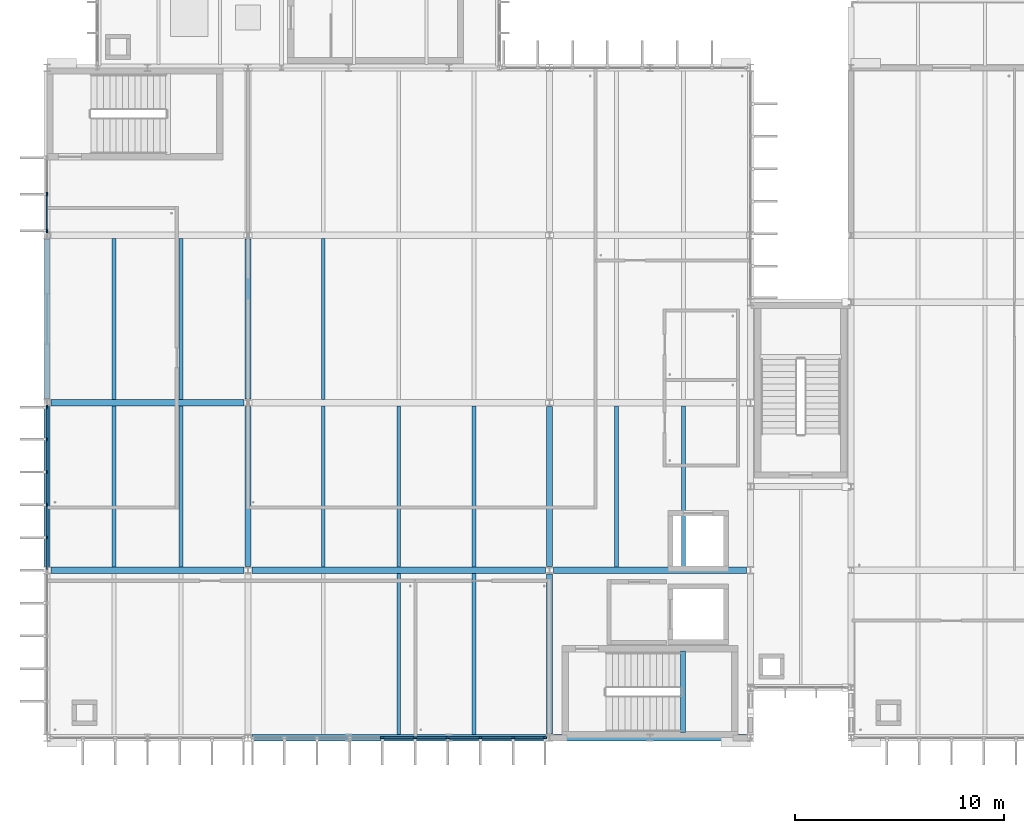
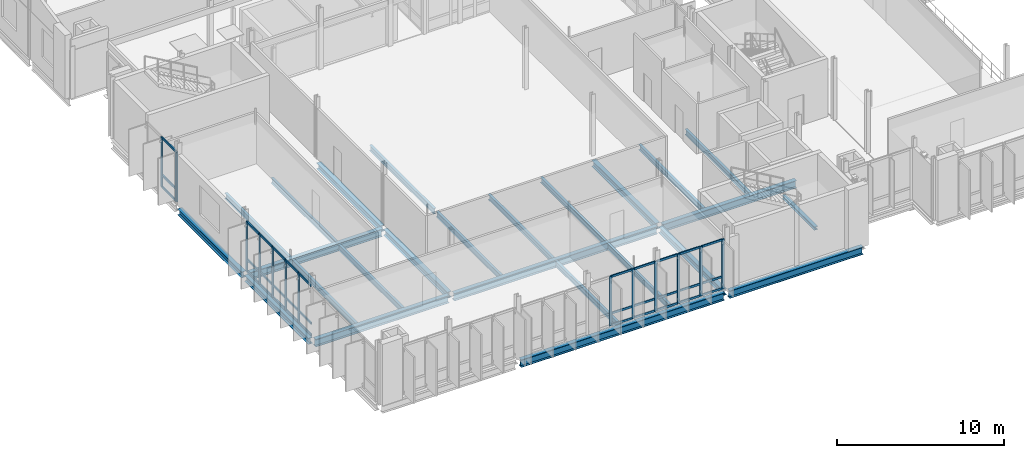
# One storey, part 18 of 93: 46 members, 25 beams, 3 elements without a shape of their own.
"""IFC4 building model written with IfcOpenShell, lengths in metres."""

from ifc_helpers import new_model, si_unit, direction, frame, origin, origin_2d, place, context, subcontext, project, spatial, rectangle, i_section, extrude, material, material_profile, profile_set, type_object, element, aggregate, save


model = new_model("IFC4")

# Units and contexts
model_context = context("Model", 3, precision=1e-05, world=origin(), true_north=direction((0.0, 1.0)))
body_context = subcontext(model_context, "Body", "Model", "MODEL_VIEW")
ifc_project = project(units=[si_unit("LENGTHUNIT", "METRE"), si_unit("AREAUNIT", "SQUARE_METRE"), si_unit("VOLUMEUNIT", "CUBIC_METRE"), si_unit("PLANEANGLEUNIT", "RADIAN"), si_unit("MASSUNIT", "GRAM", prefix="KILO")], contexts=[model_context])

# Site, building, storey
site_placement = place(None, origin())
site = spatial("IfcSite", under=ifc_project, at=site_placement, CompositionType="ELEMENT")
building_placement = place(site_placement, origin())
building = spatial("IfcBuilding", under=site, at=building_placement, Name="Dunescarp Central Library", CompositionType="ELEMENT")
storey_placement = place(building_placement, frame((0.0, 0.0, 14.10009765625)))
storey = spatial("IfcBuildingStorey", under=building, at=storey_placement, Name="L03", CompositionType="ELEMENT", Elevation=14.10009765625)

# Curtain wall, members
ifc_material_1 = material(Name="Marine-grade anodised aluminium 6063-T6", Category="aluminium")
curtain_wall_type = type_object("IfcCurtainWallType", Name="ARC-CW-STICK", PredefinedType="NOTDEFINED", material=ifc_material_1)
curtain_wall_1_placement = place(storey_placement, origin())
curtain_wall_1 = element("IfcCurtainWall", 1, at=curtain_wall_1_placement, inside=storey, type_object=curtain_wall_type, Name="L03 curtain wall CW-V1-019", PredefinedType="NOTDEFINED")
ifc_material_profile_1 = material_profile(ifc_material_1, rectangle(XDim=0.080078125, YDim=0.179931640625, at=origin_2d()), Name="AL 80x180")
ifc_profile_set_1 = profile_set([ifc_material_profile_1], Name="Marine-grade anodised aluminium 6063-T6")
member_type_1 = type_object("IfcMemberType", Name="ARC-CWM-180", PredefinedType="MULLION", material=ifc_profile_set_1)
member_1_placement = place(storey_placement, frame((23.784912109375, 4.800048828125, 0.0), z_axis=(0.0, 0.0, 1.0), x_axis=(0.0, -1.0, 0.0)))
member_1 = element("IfcMember", 2, at=member_1_placement, type_object=member_type_1, Name="CW-V1-019 mullion 1", PredefinedType="MULLION", context=body_context, shape_type="SweptSolid", body=[
    extrude(rectangle(XDim=0.080078125, YDim=0.179931640625, at=origin_2d()), origin(), (0.0, 0.0, 1.0), 3.625),
])
member_2_placement = place(storey_placement, frame((22.263916015625, 4.800048828125, 0.0), z_axis=(0.0, 0.0, 1.0), x_axis=(0.0, -1.0, 0.0)))
member_2 = element("IfcMember", 3, at=member_2_placement, type_object=member_type_1, Name="CW-V1-019 mullion 2", PredefinedType="MULLION", context=body_context, shape_type="SweptSolid", body=[
    extrude(rectangle(XDim=0.080078125, YDim=0.179931640625, at=origin_2d()), origin(), (0.0, 0.0, 1.0), 3.625),
])
member_3_placement = place(storey_placement, frame((20.702880859375, 4.800048828125, 0.0), z_axis=(0.0, 0.0, 1.0), x_axis=(0.0, -1.0, 0.0)))
member_3 = element("IfcMember", 4, at=member_3_placement, type_object=member_type_1, Name="CW-V1-019 mullion 3", PredefinedType="MULLION", context=body_context, shape_type="SweptSolid", body=[
    extrude(rectangle(XDim=0.080078125, YDim=0.179931640625, at=origin_2d()), origin(), (0.0, 0.0, 1.0), 3.625),
])
member_4_placement = place(storey_placement, frame((19.1416015625, 4.800048828125, 0.0), z_axis=(0.0, 0.0, 1.0), x_axis=(0.0, -1.0, 0.0)))
member_4 = element("IfcMember", 5, at=member_4_placement, type_object=member_type_1, Name="CW-V1-019 mullion 4", PredefinedType="MULLION", context=body_context, shape_type="SweptSolid", body=[
    extrude(rectangle(XDim=0.080078125, YDim=0.179931640625, at=origin_2d()), origin(), (0.0, 0.0, 1.0), 3.625),
])
member_5_placement = place(storey_placement, frame((17.58056640625, 4.800048828125, 0.0), z_axis=(0.0, 0.0, 1.0), x_axis=(0.0, -1.0, 0.0)))
member_5 = element("IfcMember", 6, at=member_5_placement, type_object=member_type_1, Name="CW-V1-019 mullion 5", PredefinedType="MULLION", context=body_context, shape_type="SweptSolid", body=[
    extrude(rectangle(XDim=0.080078125, YDim=0.179931640625, at=origin_2d()), origin(), (0.0, 0.0, 1.0), 3.625),
])
member_6_placement = place(storey_placement, frame((16.01953125, 4.800048828125, 0.0), z_axis=(0.0, 0.0, 1.0), x_axis=(0.0, -1.0, 0.0)))
member_6 = element("IfcMember", 7, at=member_6_placement, type_object=member_type_1, Name="CW-V1-019 mullion 6", PredefinedType="MULLION", context=body_context, shape_type="SweptSolid", body=[
    extrude(rectangle(XDim=0.080078125, YDim=0.179931640625, at=origin_2d()), origin(), (0.0, 0.0, 1.0), 3.625),
])

curtain_wall_2_placement = place(storey_placement, origin())
curtain_wall_2 = element("IfcCurtainWall", 8, at=curtain_wall_2_placement, inside=storey, type_object=curtain_wall_type, Name="L03 curtain wall CW-V1-021", PredefinedType="NOTDEFINED")
member_7_placement = place(storey_placement, frame((0.0, 14.364990234375, 0.0), z_axis=(0.0, 0.0, 1.0), x_axis=(-1.0, 0.0, 0.0)))
member_7 = element("IfcMember", 9, at=member_7_placement, type_object=member_type_1, Name="CW-V1-021 mullion 7", PredefinedType="MULLION", context=body_context, shape_type="SweptSolid", body=[
    extrude(rectangle(XDim=0.080078125, YDim=0.179931640625, at=origin_2d()), origin(), (0.0, 0.0, 1.0), 3.6748046875),
])
member_8_placement = place(storey_placement, frame((0.0, 15.929931640625, 0.0), z_axis=(0.0, 0.0, 1.0), x_axis=(-1.0, 0.0, 0.0)))
member_8 = element("IfcMember", 10, at=member_8_placement, type_object=member_type_1, Name="CW-V1-021 mullion 8", PredefinedType="MULLION", context=body_context, shape_type="SweptSolid", body=[
    extrude(rectangle(XDim=0.080078125, YDim=0.179931640625, at=origin_2d()), origin(), (0.0, 0.0, 1.0), 3.6748046875),
])
member_9_placement = place(storey_placement, frame((0.0, 17.4951171875, 0.0), z_axis=(0.0, 0.0, 1.0), x_axis=(-1.0, 0.0, 0.0)))
member_9 = element("IfcMember", 11, at=member_9_placement, type_object=member_type_1, Name="CW-V1-021 mullion 9", PredefinedType="MULLION", context=body_context, shape_type="SweptSolid", body=[
    extrude(rectangle(XDim=0.080078125, YDim=0.179931640625, at=origin_2d()), origin(), (0.0, 0.0, 1.0), 3.6748046875),
])
member_10_placement = place(storey_placement, frame((0.0, 19.06005859375, 0.0), z_axis=(0.0, 0.0, 1.0), x_axis=(-1.0, 0.0, 0.0)))
member_10 = element("IfcMember", 12, at=member_10_placement, type_object=member_type_1, Name="CW-V1-021 mullion 10", PredefinedType="MULLION", context=body_context, shape_type="SweptSolid", body=[
    extrude(rectangle(XDim=0.080078125, YDim=0.179931640625, at=origin_2d()), origin(), (0.0, 0.0, 1.0), 3.6748046875),
])
member_11_placement = place(storey_placement, frame((0.0, 20.5849609375, 0.0), z_axis=(0.0, 0.0, 1.0), x_axis=(-1.0, 0.0, 0.0)))
member_11 = element("IfcMember", 13, at=member_11_placement, type_object=member_type_1, Name="CW-V1-021 mullion 11", PredefinedType="MULLION", context=body_context, shape_type="SweptSolid", body=[
    extrude(rectangle(XDim=0.080078125, YDim=0.179931640625, at=origin_2d()), origin(), (0.0, 0.0, 1.0), 3.6748046875),
])

curtain_wall_3_placement = place(storey_placement, origin())
curtain_wall_3 = element("IfcCurtainWall", 14, at=curtain_wall_3_placement, inside=storey, type_object=curtain_wall_type, Name="L03 curtain wall CW-V1-022", PredefinedType="NOTDEFINED")
member_12_placement = place(storey_placement, frame((0.0, 29.014892578125, 0.0), z_axis=(0.0, 0.0, 1.0), x_axis=(-1.0, 0.0, 0.0)))
member_12 = element("IfcMember", 15, at=member_12_placement, type_object=member_type_1, Name="CW-V1-022 mullion 1", PredefinedType="MULLION", context=body_context, shape_type="SweptSolid", body=[
    extrude(rectangle(XDim=0.080078125, YDim=0.179931640625, at=origin_2d()), origin(), (0.0, 0.0, 1.0), 3.6748046875),
])
member_13_placement = place(storey_placement, frame((0.0, 30.762451171875, 0.0), z_axis=(0.0, 0.0, 1.0), x_axis=(-1.0, 0.0, 0.0)))
member_13 = element("IfcMember", 16, at=member_13_placement, type_object=member_type_1, Name="CW-V1-022 mullion 2", PredefinedType="MULLION", context=body_context, shape_type="SweptSolid", body=[
    extrude(rectangle(XDim=0.080078125, YDim=0.179931640625, at=origin_2d()), origin(), (0.0, 0.0, 1.0), 3.6748046875),
])

# Member
ifc_material_profile_2 = material_profile(ifc_material_1, rectangle(XDim=0.080078125, YDim=0.14990234375, at=origin_2d()), Name="AL 80x150")
ifc_profile_set_2 = profile_set([ifc_material_profile_2], Name="Marine-grade anodised aluminium 6063-T6")
member_type_2 = type_object("IfcMemberType", Name="ARC-CWT-150", PredefinedType="USERDEFINED", material=ifc_profile_set_2)
member_14_placement = place(storey_placement, frame((23.7451171875, 4.800048828125, 0.039794921875), z_axis=(-1.0, 0.0, 0.0), x_axis=(0.0, -1.0, 0.0)))
member_14 = element("IfcMember", 17, at=member_14_placement, type_object=member_type_2, Name="CW-V1-019 transom 1.1", ObjectType="TRANSOM", PredefinedType="USERDEFINED", context=body_context, shape_type="SweptSolid", body=[
    extrude(rectangle(XDim=0.080078125, YDim=0.14990234375, at=origin_2d()), origin(), (0.0, 0.0, 1.0), 1.441162109375),
])

member_15_placement = place(storey_placement, frame((23.7451171875, 4.800048828125, 0.89990234375), z_axis=(-1.0, 0.0, 0.0), x_axis=(0.0, -1.0, 0.0)))
member_15 = element("IfcMember", 18, at=member_15_placement, type_object=member_type_2, Name="CW-V1-019 transom 1.2", ObjectType="TRANSOM", PredefinedType="USERDEFINED", context=body_context, shape_type="SweptSolid", body=[
    extrude(rectangle(XDim=0.080078125, YDim=0.14990234375, at=origin_2d()), origin(), (0.0, 0.0, 1.0), 1.441162109375),
])

member_16_placement = place(storey_placement, frame((23.7451171875, 4.800048828125, 3.5849609375), z_axis=(-1.0, 0.0, 0.0), x_axis=(0.0, -1.0, 0.0)))
member_16 = element("IfcMember", 19, at=member_16_placement, type_object=member_type_2, Name="CW-V1-019 transom 1.3", ObjectType="TRANSOM", PredefinedType="USERDEFINED", context=body_context, shape_type="SweptSolid", body=[
    extrude(rectangle(XDim=0.080078125, YDim=0.14990234375, at=origin_2d()), origin(), (0.0, 0.0, 1.0), 1.441162109375),
])

member_17_placement = place(storey_placement, frame((22.223876953125, 4.800048828125, 0.039794921875), z_axis=(-1.0, 0.0, 0.0), x_axis=(0.0, -1.0, 0.0)))
member_17 = element("IfcMember", 20, at=member_17_placement, type_object=member_type_2, Name="CW-V1-019 transom 2.1", ObjectType="TRANSOM", PredefinedType="USERDEFINED", context=body_context, shape_type="SweptSolid", body=[
    extrude(rectangle(XDim=0.080078125, YDim=0.14990234375, at=origin_2d()), origin(), (0.0, 0.0, 1.0), 1.481201171875),
])

member_18_placement = place(storey_placement, frame((22.223876953125, 4.800048828125, 0.89990234375), z_axis=(-1.0, 0.0, 0.0), x_axis=(0.0, -1.0, 0.0)))
member_18 = element("IfcMember", 21, at=member_18_placement, type_object=member_type_2, Name="CW-V1-019 transom 2.2", ObjectType="TRANSOM", PredefinedType="USERDEFINED", context=body_context, shape_type="SweptSolid", body=[
    extrude(rectangle(XDim=0.080078125, YDim=0.14990234375, at=origin_2d()), origin(), (0.0, 0.0, 1.0), 1.481201171875),
])

member_19_placement = place(storey_placement, frame((22.223876953125, 4.800048828125, 3.5849609375), z_axis=(-1.0, 0.0, 0.0), x_axis=(0.0, -1.0, 0.0)))
member_19 = element("IfcMember", 22, at=member_19_placement, type_object=member_type_2, Name="CW-V1-019 transom 2.3", ObjectType="TRANSOM", PredefinedType="USERDEFINED", context=body_context, shape_type="SweptSolid", body=[
    extrude(rectangle(XDim=0.080078125, YDim=0.14990234375, at=origin_2d()), origin(), (0.0, 0.0, 1.0), 1.481201171875),
])

member_20_placement = place(storey_placement, frame((20.662841796875, 4.800048828125, 0.039794921875), z_axis=(-1.0, 0.0, 0.0), x_axis=(0.0, -1.0, 0.0)))
member_20 = element("IfcMember", 23, at=member_20_placement, type_object=member_type_2, Name="CW-V1-019 transom 3.1", ObjectType="TRANSOM", PredefinedType="USERDEFINED", context=body_context, shape_type="SweptSolid", body=[
    extrude(rectangle(XDim=0.080078125, YDim=0.14990234375, at=origin_2d()), origin(), (0.0, 0.0, 1.0), 1.481201171875),
])

member_21_placement = place(storey_placement, frame((20.662841796875, 4.800048828125, 0.89990234375), z_axis=(-1.0, 0.0, 0.0), x_axis=(0.0, -1.0, 0.0)))
member_21 = element("IfcMember", 24, at=member_21_placement, type_object=member_type_2, Name="CW-V1-019 transom 3.2", ObjectType="TRANSOM", PredefinedType="USERDEFINED", context=body_context, shape_type="SweptSolid", body=[
    extrude(rectangle(XDim=0.080078125, YDim=0.14990234375, at=origin_2d()), origin(), (0.0, 0.0, 1.0), 1.481201171875),
])

member_22_placement = place(storey_placement, frame((20.662841796875, 4.800048828125, 3.5849609375), z_axis=(-1.0, 0.0, 0.0), x_axis=(0.0, -1.0, 0.0)))
member_22 = element("IfcMember", 25, at=member_22_placement, type_object=member_type_2, Name="CW-V1-019 transom 3.3", ObjectType="TRANSOM", PredefinedType="USERDEFINED", context=body_context, shape_type="SweptSolid", body=[
    extrude(rectangle(XDim=0.080078125, YDim=0.14990234375, at=origin_2d()), origin(), (0.0, 0.0, 1.0), 1.481201171875),
])

member_23_placement = place(storey_placement, frame((19.1015625, 4.800048828125, 0.039794921875), z_axis=(-1.0, 0.0, 0.0), x_axis=(0.0, -1.0, 0.0)))
member_23 = element("IfcMember", 26, at=member_23_placement, type_object=member_type_2, Name="CW-V1-019 transom 4.1", ObjectType="TRANSOM", PredefinedType="USERDEFINED", context=body_context, shape_type="SweptSolid", body=[
    extrude(rectangle(XDim=0.080078125, YDim=0.14990234375, at=origin_2d()), origin(), (0.0, 0.0, 1.0), 1.48095703125),
])

member_24_placement = place(storey_placement, frame((19.1015625, 4.800048828125, 0.89990234375), z_axis=(-1.0, 0.0, 0.0), x_axis=(0.0, -1.0, 0.0)))
member_24 = element("IfcMember", 27, at=member_24_placement, type_object=member_type_2, Name="CW-V1-019 transom 4.2", ObjectType="TRANSOM", PredefinedType="USERDEFINED", context=body_context, shape_type="SweptSolid", body=[
    extrude(rectangle(XDim=0.080078125, YDim=0.14990234375, at=origin_2d()), origin(), (0.0, 0.0, 1.0), 1.48095703125),
])

member_25_placement = place(storey_placement, frame((19.1015625, 4.800048828125, 3.5849609375), z_axis=(-1.0, 0.0, 0.0), x_axis=(0.0, -1.0, 0.0)))
member_25 = element("IfcMember", 28, at=member_25_placement, type_object=member_type_2, Name="CW-V1-019 transom 4.3", ObjectType="TRANSOM", PredefinedType="USERDEFINED", context=body_context, shape_type="SweptSolid", body=[
    extrude(rectangle(XDim=0.080078125, YDim=0.14990234375, at=origin_2d()), origin(), (0.0, 0.0, 1.0), 1.48095703125),
])

member_26_placement = place(storey_placement, frame((17.54052734375, 4.800048828125, 0.039794921875), z_axis=(-1.0, 0.0, 0.0), x_axis=(0.0, -1.0, 0.0)))
member_26 = element("IfcMember", 29, at=member_26_placement, type_object=member_type_2, Name="CW-V1-019 transom 5.1", ObjectType="TRANSOM", PredefinedType="USERDEFINED", context=body_context, shape_type="SweptSolid", body=[
    extrude(rectangle(XDim=0.080078125, YDim=0.14990234375, at=origin_2d()), origin(), (0.0, 0.0, 1.0), 1.481201171875),
])

member_27_placement = place(storey_placement, frame((17.54052734375, 4.800048828125, 0.89990234375), z_axis=(-1.0, 0.0, 0.0), x_axis=(0.0, -1.0, 0.0)))
member_27 = element("IfcMember", 30, at=member_27_placement, type_object=member_type_2, Name="CW-V1-019 transom 5.2", ObjectType="TRANSOM", PredefinedType="USERDEFINED", context=body_context, shape_type="SweptSolid", body=[
    extrude(rectangle(XDim=0.080078125, YDim=0.14990234375, at=origin_2d()), origin(), (0.0, 0.0, 1.0), 1.481201171875),
])

member_28_placement = place(storey_placement, frame((17.54052734375, 4.800048828125, 3.5849609375), z_axis=(-1.0, 0.0, 0.0), x_axis=(0.0, -1.0, 0.0)))
member_28 = element("IfcMember", 31, at=member_28_placement, type_object=member_type_2, Name="CW-V1-019 transom 5.3", ObjectType="TRANSOM", PredefinedType="USERDEFINED", context=body_context, shape_type="SweptSolid", body=[
    extrude(rectangle(XDim=0.080078125, YDim=0.14990234375, at=origin_2d()), origin(), (0.0, 0.0, 1.0), 1.481201171875),
])

aggregate(curtain_wall_1, [member_1, member_2, member_3, member_4, member_5, member_6, member_14, member_15, member_16, member_17, member_18, member_19, member_20, member_21, member_22, member_23, member_24, member_25, member_26, member_27, member_28])

member_29_placement = place(storey_placement, frame((0.0, 12.840087890625, 0.039794921875), z_axis=(0.0, 1.0, 0.0), x_axis=(-1.0, 0.0, 0.0)))
member_29 = element("IfcMember", 32, at=member_29_placement, type_object=member_type_2, Name="CW-V1-021 transom 6.1", ObjectType="TRANSOM", PredefinedType="USERDEFINED", context=body_context, shape_type="SweptSolid", body=[
    extrude(rectangle(XDim=0.080078125, YDim=0.14990234375, at=origin_2d()), origin(), (0.0, 0.0, 1.0), 1.48486328125),
])

member_30_placement = place(storey_placement, frame((0.0, 12.840087890625, 0.89990234375), z_axis=(0.0, 1.0, 0.0), x_axis=(-1.0, 0.0, 0.0)))
member_30 = element("IfcMember", 33, at=member_30_placement, type_object=member_type_2, Name="CW-V1-021 transom 6.2", ObjectType="TRANSOM", PredefinedType="USERDEFINED", context=body_context, shape_type="SweptSolid", body=[
    extrude(rectangle(XDim=0.080078125, YDim=0.14990234375, at=origin_2d()), origin(), (0.0, 0.0, 1.0), 1.48486328125),
])

member_31_placement = place(storey_placement, frame((0.0, 12.840087890625, 3.635009765625), z_axis=(0.0, 1.0, 0.0), x_axis=(-1.0, 0.0, 0.0)))
member_31 = element("IfcMember", 34, at=member_31_placement, type_object=member_type_2, Name="CW-V1-021 transom 6.3", ObjectType="TRANSOM", PredefinedType="USERDEFINED", context=body_context, shape_type="SweptSolid", body=[
    extrude(rectangle(XDim=0.080078125, YDim=0.14990234375, at=origin_2d()), origin(), (0.0, 0.0, 1.0), 1.48486328125),
])

member_32_placement = place(storey_placement, frame((0.0, 14.405029296875, 0.039794921875), z_axis=(0.0, 1.0, 0.0), x_axis=(-1.0, 0.0, 0.0)))
member_32 = element("IfcMember", 35, at=member_32_placement, type_object=member_type_2, Name="CW-V1-021 transom 7.1", ObjectType="TRANSOM", PredefinedType="USERDEFINED", context=body_context, shape_type="SweptSolid", body=[
    extrude(rectangle(XDim=0.080078125, YDim=0.14990234375, at=origin_2d()), origin(), (0.0, 0.0, 1.0), 1.48486328125),
])

member_33_placement = place(storey_placement, frame((0.0, 14.405029296875, 0.89990234375), z_axis=(0.0, 1.0, 0.0), x_axis=(-1.0, 0.0, 0.0)))
member_33 = element("IfcMember", 36, at=member_33_placement, type_object=member_type_2, Name="CW-V1-021 transom 7.2", ObjectType="TRANSOM", PredefinedType="USERDEFINED", context=body_context, shape_type="SweptSolid", body=[
    extrude(rectangle(XDim=0.080078125, YDim=0.14990234375, at=origin_2d()), origin(), (0.0, 0.0, 1.0), 1.48486328125),
])

member_34_placement = place(storey_placement, frame((0.0, 14.405029296875, 3.635009765625), z_axis=(0.0, 1.0, 0.0), x_axis=(-1.0, 0.0, 0.0)))
member_34 = element("IfcMember", 37, at=member_34_placement, type_object=member_type_2, Name="CW-V1-021 transom 7.3", ObjectType="TRANSOM", PredefinedType="USERDEFINED", context=body_context, shape_type="SweptSolid", body=[
    extrude(rectangle(XDim=0.080078125, YDim=0.14990234375, at=origin_2d()), origin(), (0.0, 0.0, 1.0), 1.48486328125),
])

member_35_placement = place(storey_placement, frame((0.0, 15.969970703125, 0.039794921875), z_axis=(0.0, 1.0, 0.0), x_axis=(-1.0, 0.0, 0.0)))
member_35 = element("IfcMember", 38, at=member_35_placement, type_object=member_type_2, Name="CW-V1-021 transom 8.1", ObjectType="TRANSOM", PredefinedType="USERDEFINED", context=body_context, shape_type="SweptSolid", body=[
    extrude(rectangle(XDim=0.080078125, YDim=0.14990234375, at=origin_2d()), origin(), (0.0, 0.0, 1.0), 1.485107421875),
])

member_36_placement = place(storey_placement, frame((0.0, 15.969970703125, 0.89990234375), z_axis=(0.0, 1.0, 0.0), x_axis=(-1.0, 0.0, 0.0)))
member_36 = element("IfcMember", 39, at=member_36_placement, type_object=member_type_2, Name="CW-V1-021 transom 8.2", ObjectType="TRANSOM", PredefinedType="USERDEFINED", context=body_context, shape_type="SweptSolid", body=[
    extrude(rectangle(XDim=0.080078125, YDim=0.14990234375, at=origin_2d()), origin(), (0.0, 0.0, 1.0), 1.485107421875),
])

member_37_placement = place(storey_placement, frame((0.0, 15.969970703125, 3.635009765625), z_axis=(0.0, 1.0, 0.0), x_axis=(-1.0, 0.0, 0.0)))
member_37 = element("IfcMember", 40, at=member_37_placement, type_object=member_type_2, Name="CW-V1-021 transom 8.3", ObjectType="TRANSOM", PredefinedType="USERDEFINED", context=body_context, shape_type="SweptSolid", body=[
    extrude(rectangle(XDim=0.080078125, YDim=0.14990234375, at=origin_2d()), origin(), (0.0, 0.0, 1.0), 1.485107421875),
])

member_38_placement = place(storey_placement, frame((0.0, 17.534912109375, 0.039794921875), z_axis=(0.0, 1.0, 0.0), x_axis=(-1.0, 0.0, 0.0)))
member_38 = element("IfcMember", 41, at=member_38_placement, type_object=member_type_2, Name="CW-V1-021 transom 9.1", ObjectType="TRANSOM", PredefinedType="USERDEFINED", context=body_context, shape_type="SweptSolid", body=[
    extrude(rectangle(XDim=0.080078125, YDim=0.14990234375, at=origin_2d()), origin(), (0.0, 0.0, 1.0), 1.485107421875),
])

member_39_placement = place(storey_placement, frame((0.0, 17.534912109375, 0.89990234375), z_axis=(0.0, 1.0, 0.0), x_axis=(-1.0, 0.0, 0.0)))
member_39 = element("IfcMember", 42, at=member_39_placement, type_object=member_type_2, Name="CW-V1-021 transom 9.2", ObjectType="TRANSOM", PredefinedType="USERDEFINED", context=body_context, shape_type="SweptSolid", body=[
    extrude(rectangle(XDim=0.080078125, YDim=0.14990234375, at=origin_2d()), origin(), (0.0, 0.0, 1.0), 1.485107421875),
])

member_40_placement = place(storey_placement, frame((0.0, 17.534912109375, 3.635009765625), z_axis=(0.0, 1.0, 0.0), x_axis=(-1.0, 0.0, 0.0)))
member_40 = element("IfcMember", 43, at=member_40_placement, type_object=member_type_2, Name="CW-V1-021 transom 9.3", ObjectType="TRANSOM", PredefinedType="USERDEFINED", context=body_context, shape_type="SweptSolid", body=[
    extrude(rectangle(XDim=0.080078125, YDim=0.14990234375, at=origin_2d()), origin(), (0.0, 0.0, 1.0), 1.485107421875),
])

member_41_placement = place(storey_placement, frame((0.0, 19.10009765625, 0.039794921875), z_axis=(0.0, 1.0, 0.0), x_axis=(-1.0, 0.0, 0.0)))
member_41 = element("IfcMember", 44, at=member_41_placement, type_object=member_type_2, Name="CW-V1-021 transom 10.1", ObjectType="TRANSOM", PredefinedType="USERDEFINED", context=body_context, shape_type="SweptSolid", body=[
    extrude(rectangle(XDim=0.080078125, YDim=0.14990234375, at=origin_2d()), origin(), (0.0, 0.0, 1.0), 1.44482421875),
])

member_42_placement = place(storey_placement, frame((0.0, 19.10009765625, 0.89990234375), z_axis=(0.0, 1.0, 0.0), x_axis=(-1.0, 0.0, 0.0)))
member_42 = element("IfcMember", 45, at=member_42_placement, type_object=member_type_2, Name="CW-V1-021 transom 10.2", ObjectType="TRANSOM", PredefinedType="USERDEFINED", context=body_context, shape_type="SweptSolid", body=[
    extrude(rectangle(XDim=0.080078125, YDim=0.14990234375, at=origin_2d()), origin(), (0.0, 0.0, 1.0), 1.44482421875),
])

member_43_placement = place(storey_placement, frame((0.0, 19.10009765625, 3.635009765625), z_axis=(0.0, 1.0, 0.0), x_axis=(-1.0, 0.0, 0.0)))
member_43 = element("IfcMember", 46, at=member_43_placement, type_object=member_type_2, Name="CW-V1-021 transom 10.3", ObjectType="TRANSOM", PredefinedType="USERDEFINED", context=body_context, shape_type="SweptSolid", body=[
    extrude(rectangle(XDim=0.080078125, YDim=0.14990234375, at=origin_2d()), origin(), (0.0, 0.0, 1.0), 1.44482421875),
])

aggregate(curtain_wall_2, [member_7, member_8, member_9, member_10, member_11, member_29, member_30, member_31, member_32, member_33, member_34, member_35, member_36, member_37, member_38, member_39, member_40, member_41, member_42, member_43])

member_44_placement = place(storey_placement, frame((0.0, 29.054931640625, 0.039794921875), z_axis=(0.0, 1.0, 0.0), x_axis=(-1.0, 0.0, 0.0)))
member_44 = element("IfcMember", 47, at=member_44_placement, type_object=member_type_2, Name="CW-V1-022 transom 1.1", ObjectType="TRANSOM", PredefinedType="USERDEFINED", context=body_context, shape_type="SweptSolid", body=[
    extrude(rectangle(XDim=0.080078125, YDim=0.14990234375, at=origin_2d()), origin(), (0.0, 0.0, 1.0), 1.66748046875),
])

member_45_placement = place(storey_placement, frame((0.0, 29.054931640625, 0.89990234375), z_axis=(0.0, 1.0, 0.0), x_axis=(-1.0, 0.0, 0.0)))
member_45 = element("IfcMember", 48, at=member_45_placement, type_object=member_type_2, Name="CW-V1-022 transom 1.2", ObjectType="TRANSOM", PredefinedType="USERDEFINED", context=body_context, shape_type="SweptSolid", body=[
    extrude(rectangle(XDim=0.080078125, YDim=0.14990234375, at=origin_2d()), origin(), (0.0, 0.0, 1.0), 1.66748046875),
])

member_46_placement = place(storey_placement, frame((0.0, 29.054931640625, 3.635009765625), z_axis=(0.0, 1.0, 0.0), x_axis=(-1.0, 0.0, 0.0)))
member_46 = element("IfcMember", 49, at=member_46_placement, type_object=member_type_2, Name="CW-V1-022 transom 1.3", ObjectType="TRANSOM", PredefinedType="USERDEFINED", context=body_context, shape_type="SweptSolid", body=[
    extrude(rectangle(XDim=0.080078125, YDim=0.14990234375, at=origin_2d()), origin(), (0.0, 0.0, 1.0), 1.66748046875),
])

aggregate(curtain_wall_3, [member_12, member_13, member_44, member_45, member_46])

# Beams
ifc_material_2 = material(Name="Steel S355JR", Category="steel")
ifc_material_profile_3 = material_profile(ifc_material_2, i_section(OverallWidth=0.300048828125, OverallDepth=0.449951171875, WebThickness=0.013916015625, FlangeThickness=0.02587890625, at=origin_2d()), Name="HEB 450")
ifc_profile_set_3 = profile_set([ifc_material_profile_3], Name="Steel S355JR")
beam_type_1 = type_object("IfcBeamType", Name="STR-BM-HEB450", PredefinedType="BEAM", material=ifc_profile_set_3)
for number, where, z_axis, x_axis, name in (
    (50, (0.0, 12.97802734375, -0.465087890625), (0.0, 1.0, 0.0), (-1.0, 0.0, 0.0), "L03 girder BM-L03-0118"),
    (51, (9.60009765625, 12.97802734375, -0.465087890625), (0.0, 1.0, 0.0), (-1.0, 0.0, 0.0), "L03 girder BM-L03-0119"),
    (52, (0.0, 20.97802734375, -0.465087890625), (0.0, 1.0, 0.0), (-1.0, 0.0, 0.0), "L03 girder BM-L03-0123"),
    (53, (9.60009765625, 20.97802734375, -0.465087890625), (0.0, 1.0, 0.0), (-1.0, 0.0, 0.0), "L03 girder BM-L03-0124"),
    (54, (24.0, 4.97802734375, -0.465087890625), (0.0, 1.0, 0.0), (-1.0, 0.0, 0.0), "L03 girder BM-L03-0132"),
    (55, (24.0, 12.97802734375, -0.465087890625), (0.0, 1.0, 0.0), (-1.0, 0.0, 0.0), "L03 girder BM-L03-0137"),
):
    element("IfcBeam", number, at=place(storey_placement, frame(where, z_axis=z_axis, x_axis=x_axis)), inside=storey, type_object=beam_type_1, Name=name, PredefinedType="BEAM", context=body_context, shape_type="SweptSolid", body=[
        extrude(i_section(OverallWidth=0.300048828125, OverallDepth=0.449951171875, WebThickness=0.013916015625, FlangeThickness=0.02587890625, at=origin_2d()), origin(), (0.0, 0.0, 1.0), 7.64404296875),
    ])
ifc_material_profile_4 = material_profile(ifc_material_2, i_section(OverallWidth=0.300048828125, OverallDepth=0.550048828125, WebThickness=0.014892578125, FlangeThickness=0.029052734375, at=origin_2d()), Name="HEB 550")
ifc_profile_set_4 = profile_set([ifc_material_profile_4], Name="Steel S355JR")
beam_type_2 = type_object("IfcBeamType", Name="STR-BM-HEB550", PredefinedType="BEAM", material=ifc_profile_set_4)
for number, where, z_axis, x_axis, name in (
    (56, (0.181884765625, 12.800048828125, -0.51513671875), (1.0, 0.0, 0.0), (0.0, 1.0, 0.0), "L03 girder BM-L03-0112"),
    (57, (0.181884765625, 20.800048828125, -0.51513671875), (1.0, 0.0, 0.0), (0.0, 1.0, 0.0), "L03 girder BM-L03-0117"),
):
    element("IfcBeam", number, at=place(storey_placement, frame(where, z_axis=z_axis, x_axis=x_axis)), inside=storey, type_object=beam_type_2, Name=name, PredefinedType="BEAM", context=body_context, shape_type="SweptSolid", body=[
        extrude(i_section(OverallWidth=0.300048828125, OverallDepth=0.550048828125, WebThickness=0.014892578125, FlangeThickness=0.029052734375, at=origin_2d()), origin(), (0.0, 0.0, 1.0), 9.236083984375),
    ])
for number, where, z_axis, x_axis, name in (
    (58, (9.781982421875, 4.800048828125, -0.51513671875), (1.0, 0.0, 0.0), (0.0, 1.0, 0.0), "L03 girder BM-L03-0130"),
    (59, (9.781982421875, 12.800048828125, -0.51513671875), (1.0, 0.0, 0.0), (0.0, 1.0, 0.0), "L03 girder BM-L03-0131"),
):
    element("IfcBeam", number, at=place(storey_placement, frame(where, z_axis=z_axis, x_axis=x_axis)), inside=storey, type_object=beam_type_2, Name=name, PredefinedType="BEAM", context=body_context, shape_type="SweptSolid", body=[
        extrude(i_section(OverallWidth=0.300048828125, OverallDepth=0.550048828125, WebThickness=0.014892578125, FlangeThickness=0.029052734375, at=origin_2d()), origin(), (0.0, 0.0, 1.0), 14.0361328125),
    ])
for number, where, z_axis, x_axis, name in (
    (60, (24.181884765625, 4.800048828125, -0.51513671875), (1.0, 0.0, 0.0), (0.0, 1.0, 0.0), "L03 girder BM-L03-0151"),
    (61, (24.181884765625, 12.800048828125, -0.51513671875), (1.0, 0.0, 0.0), (0.0, 1.0, 0.0), "L03 girder BM-L03-0152"),
):
    element("IfcBeam", number, at=place(storey_placement, frame(where, z_axis=z_axis, x_axis=x_axis)), inside=storey, type_object=beam_type_2, Name=name, PredefinedType="BEAM", context=body_context, shape_type="SweptSolid", body=[
        extrude(i_section(OverallWidth=0.300048828125, OverallDepth=0.550048828125, WebThickness=0.014892578125, FlangeThickness=0.029052734375, at=origin_2d()), origin(), (0.0, 0.0, 1.0), 9.236083984375),
    ])
ifc_material_profile_5 = material_profile(ifc_material_2, i_section(OverallWidth=0.239990234375, OverallDepth=0.22998046875, WebThickness=0.007568359375, FlangeThickness=0.011962890625, at=origin_2d()), Name="HEA 240")
ifc_profile_set_5 = profile_set([ifc_material_profile_5], Name="Steel S355JR")
beam_type_3 = type_object("IfcBeamType", Name="STR-JS-HEA240", PredefinedType="JOIST", material=ifc_profile_set_5)
beam_placement = place(storey_placement, frame((30.3798828125, 5.06005859375, 1.934814453125), z_axis=(0.0, 1.0, 0.0), x_axis=(-1.0, 0.0, 0.0)))
element("IfcBeam", 62, at=beam_placement, inside=storey, type_object=beam_type_3, Name="L03 ST-1 landing trimmer beam BM-ST-004", PredefinedType="BEAM", context=body_context, shape_type="SweptSolid", body=[
    extrude(i_section(OverallWidth=0.239990234375, OverallDepth=0.22998046875, WebThickness=0.007568359375, FlangeThickness=0.011962890625, at=origin_2d()), origin(), (0.0, 0.0, 1.0), 3.8798828125),
])
ifc_material_profile_6 = material_profile(ifc_material_2, i_section(OverallWidth=0.179931640625, OverallDepth=0.39990234375, WebThickness=0.008544921875, FlangeThickness=0.013427734375, at=origin_2d()), Name="IPE 400")
ifc_profile_set_6 = profile_set([ifc_material_profile_6], Name="Steel S355JR")
beam_type_4 = type_object("IfcBeamType", Name="STR-JS-IPE400", PredefinedType="JOIST", material=ifc_profile_set_6)
for number, where, z_axis, x_axis, name in (
    (63, (3.199951171875, 12.947998046875, -0.440185546875), (0.0, 1.0, 0.0), (-1.0, 0.0, 0.0), "L03 joist JS-L03-0120"),
    (64, (6.39990234375, 12.947998046875, -0.440185546875), (0.0, 1.0, 0.0), (-1.0, 0.0, 0.0), "L03 joist JS-L03-0121"),
    (65, (3.199951171875, 20.947998046875, -0.440185546875), (0.0, 1.0, 0.0), (-1.0, 0.0, 0.0), "L03 joist JS-L03-0125"),
    (66, (6.39990234375, 20.947998046875, -0.440185546875), (0.0, 1.0, 0.0), (-1.0, 0.0, 0.0), "L03 joist JS-L03-0126"),
    (67, (16.800048828125, 4.947998046875, -0.440185546875), (0.0, 1.0, 0.0), (-1.0, 0.0, 0.0), "L03 joist JS-L03-0134"),
    (68, (20.39990234375, 4.947998046875, -0.440185546875), (0.0, 1.0, 0.0), (-1.0, 0.0, 0.0), "L03 joist JS-L03-0135"),
    (69, (13.199951171875, 12.947998046875, -0.440185546875), (0.0, 1.0, 0.0), (-1.0, 0.0, 0.0), "L03 joist JS-L03-0138"),
    (70, (16.800048828125, 12.947998046875, -0.440185546875), (0.0, 1.0, 0.0), (-1.0, 0.0, 0.0), "L03 joist JS-L03-0139"),
    (71, (20.39990234375, 12.947998046875, -0.440185546875), (0.0, 1.0, 0.0), (-1.0, 0.0, 0.0), "L03 joist JS-L03-0140"),
    (72, (13.199951171875, 20.947998046875, -0.440185546875), (0.0, 1.0, 0.0), (-1.0, 0.0, 0.0), "L03 joist JS-L03-0143"),
    (73, (27.199951171875, 12.947998046875, -0.440185546875), (0.0, 1.0, 0.0), (-1.0, 0.0, 0.0), "L03 joist JS-L03-0156"),
    (74, (30.39990234375, 12.947998046875, -0.440185546875), (0.0, 1.0, 0.0), (-1.0, 0.0, 0.0), "L03 joist JS-L03-0157"),
):
    element("IfcBeam", number, at=place(storey_placement, frame(where, z_axis=z_axis, x_axis=x_axis)), inside=storey, type_object=beam_type_4, Name=name, PredefinedType="JOIST", context=body_context, shape_type="SweptSolid", body=[
        extrude(i_section(OverallWidth=0.179931640625, OverallDepth=0.39990234375, WebThickness=0.008544921875, FlangeThickness=0.013427734375, at=origin_2d()), origin(), (0.0, 0.0, 1.0), 7.7041015625),
    ])

save(model, "model.ifc")
